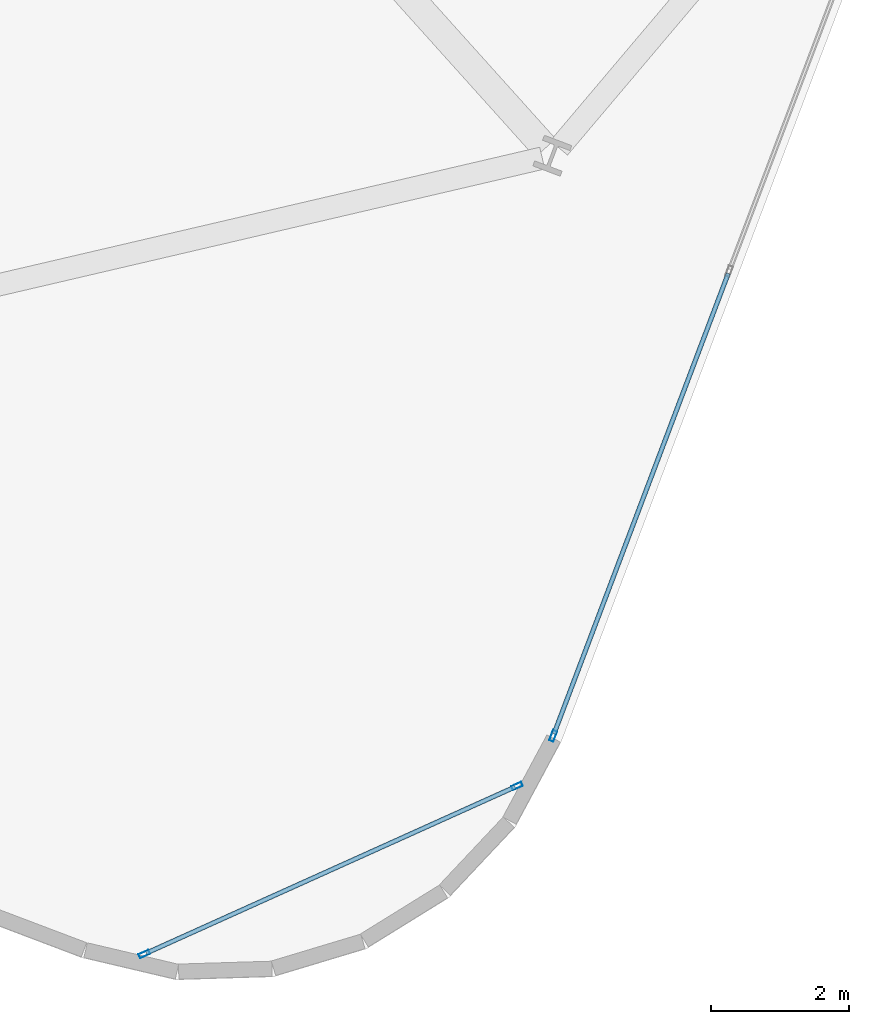
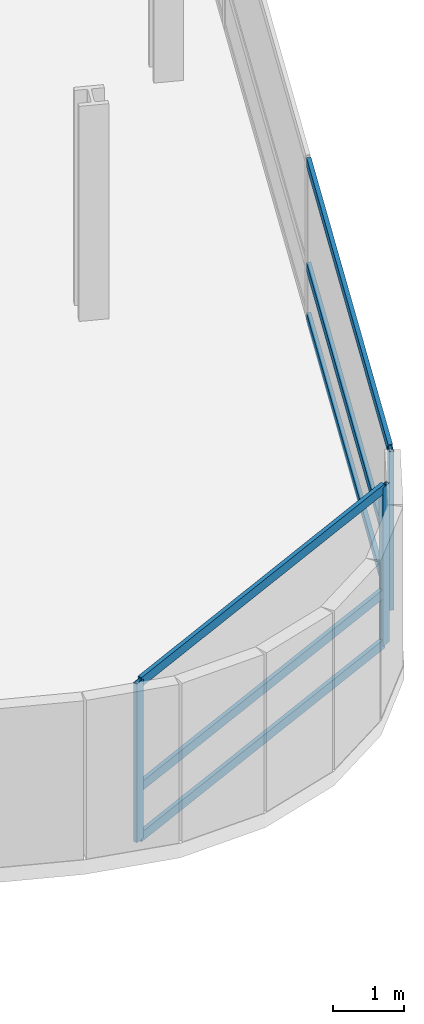
# One storey, part 10 of 25: 9 members, 2 elements without a shape of their own.
"""IFC4 building model written with IfcOpenShell, lengths in metres."""

from ifc_helpers import new_model, si_unit, direction, frame, origin, origin_2d, place, context, subcontext, project, spatial, hollow_rectangle, extrude, material, layer, layer_set, material_profile, profile_set, type_object, element, aggregate, save


model = new_model("IFC4")

# Units and contexts
model_context = context("Model", 3, precision=1e-05, world=origin(), true_north=direction((0.0, 1.0)))
body_context = subcontext(model_context, "Body", "Model", "MODEL_VIEW")
ifc_project = project(units=[si_unit("LENGTHUNIT", "METRE"), si_unit("AREAUNIT", "SQUARE_METRE"), si_unit("VOLUMEUNIT", "CUBIC_METRE"), si_unit("PLANEANGLEUNIT", "RADIAN"), si_unit("MASSUNIT", "GRAM", prefix="KILO")], contexts=[model_context])

# Site, building, storey
site_placement = place(None, origin())
site = spatial("IfcSite", under=ifc_project, at=site_placement, CompositionType="ELEMENT")
building_placement = place(site_placement, origin())
building = spatial("IfcBuilding", under=site, at=building_placement, Name="Varnelok Gate Tower", CompositionType="ELEMENT")
storey_placement = place(building_placement, frame((0.0, 0.0, 91.0)))
storey = spatial("IfcBuildingStorey", under=building, at=storey_placement, Name="L22", CompositionType="ELEMENT", Elevation=91.0)

# Curtain wall, member
ifc_material = material(Name="Anodized Aluminum Alloy 6063-T6", Category="aluminium")
ifc_layer_1 = layer(ifc_material, 0.179931640625)
ifc_layer_set_1 = layer_set([ifc_layer_1], Name="Anodized Aluminum Alloy 6063-T6")
curtain_wall_type_1 = type_object("IfcCurtainWallType", Name="CW3-HOTEL-VISION", PredefinedType="USERDEFINED", material=ifc_layer_set_1)
curtain_wall_1_placement = place(storey_placement, origin())
curtain_wall_1 = element("IfcCurtainWall", 1, at=curtain_wall_1_placement, inside=storey, type_object=curtain_wall_type_1, Name="L22 East End Vision Curtain Wall", ObjectType="UNITISED CURTAIN WALL", PredefinedType="USERDEFINED")
ifc_material_profile_1 = material_profile(ifc_material, hollow_rectangle(XDim=0.06494140625, YDim=0.159912109375, WallThickness=0.00390625, at=origin_2d()), Name="ALU160X65X4")
ifc_profile_set_1 = profile_set([ifc_material_profile_1], Name="Anodized Aluminum Alloy 6063-T6")
member_type_1 = type_object("IfcMemberType", Name="CW-MULL-160", PredefinedType="MULLION", material=ifc_profile_set_1)
member_1_placement = place(storey_placement, frame((67.6494140625, -4.78955078125, 0.0), z_axis=(0.0, 0.0, 1.0), x_axis=(0.935221323688, -0.354063660545, 0.0)))
member_1 = element("IfcMember", 2, at=member_1_placement, type_object=member_type_1, Name="CW3 mullion 6", PredefinedType="MULLION", context=body_context, shape_type="SweptSolid", body=[
    extrude(hollow_rectangle(XDim=0.06494140625, YDim=0.159912109375, WallThickness=0.00390625, at=origin_2d()), origin(), (0.0, 0.0, 1.0), 2.72998046875),
])

# Curtain wall, members
ifc_layer_2 = layer(ifc_material, 0.179931640625)
ifc_layer_set_2 = layer_set([ifc_layer_2], Name="Anodized Aluminum Alloy 6063-T6")
curtain_wall_type_2 = type_object("IfcCurtainWallType", Name="CW5-WINDCORNER-GLAZ", PredefinedType="USERDEFINED", material=ifc_layer_set_2)
curtain_wall_2_placement = place(storey_placement, origin())
curtain_wall_2 = element("IfcCurtainWall", 3, at=curtain_wall_2_placement, inside=storey, type_object=curtain_wall_type_2, Name="L22 Wind-Shaped Corner Curtain Wall SE", ObjectType="STRUCTURAL GLAZING", PredefinedType="USERDEFINED")
member_2_placement = place(storey_placement, frame((61.7177734375, -7.953857421875, 0.0), z_axis=(0.0, 0.0, 1.0), x_axis=(-0.41094361693, 0.911660761306, 0.0)))
member_2 = element("IfcMember", 4, at=member_2_placement, type_object=member_type_1, Name="CW5 mullion 1", PredefinedType="MULLION", context=body_context, shape_type="SweptSolid", body=[
    extrude(hollow_rectangle(XDim=0.06494140625, YDim=0.159912109375, WallThickness=0.00390625, at=origin_2d()), origin(), (0.0, 0.0, 1.0), 2.72998046875),
])
member_3_placement = place(storey_placement, frame((67.125, -5.516357421875, 0.0), z_axis=(0.0, 0.0, 1.0), x_axis=(-0.41094361693, 0.911660761306, 0.0)))
member_3 = element("IfcMember", 5, at=member_3_placement, type_object=member_type_1, Name="CW5 mullion 2", PredefinedType="MULLION", context=body_context, shape_type="SweptSolid", body=[
    extrude(hollow_rectangle(XDim=0.06494140625, YDim=0.159912109375, WallThickness=0.00390625, at=origin_2d()), origin(), (0.0, 0.0, 1.0), 2.72998046875),
])

# Member
ifc_material_profile_2 = material_profile(ifc_material, hollow_rectangle(XDim=0.06494140625, YDim=0.159912109375, WallThickness=0.00390625, at=origin_2d()), Name="ALU160X65X4")
ifc_profile_set_2 = profile_set([ifc_material_profile_2], Name="Anodized Aluminum Alloy 6063-T6")
member_type_2 = type_object("IfcMemberType", Name="CW-TRAN-160", PredefinedType="USERDEFINED", material=ifc_profile_set_2)
member_4_placement = place(storey_placement, frame((70.189697265625, 1.920654296875, 0.032470703125), z_axis=(-0.354058568643, -0.935223251406, 0.0), x_axis=(0.935223251406, -0.354058568643, 0.0)))
member_4 = element("IfcMember", 6, at=member_4_placement, type_object=member_type_2, Name="CW3 transom 5.1", ObjectType="TRANSOM", PredefinedType="USERDEFINED", context=body_context, shape_type="SweptSolid", body=[
    extrude(hollow_rectangle(XDim=0.06494140625, YDim=0.159912109375, WallThickness=0.00390625, at=origin_2d()), origin(), (0.0, 0.0, 1.0), 7.142333984375),
])

member_5_placement = place(storey_placement, frame((70.189697265625, 1.920654296875, 0.89990234375), z_axis=(-0.354058568643, -0.935223251406, 0.0), x_axis=(0.935223251406, -0.354058568643, 0.0)))
member_5 = element("IfcMember", 7, at=member_5_placement, type_object=member_type_2, Name="CW3 transom 5.2", ObjectType="TRANSOM", PredefinedType="USERDEFINED", context=body_context, shape_type="SweptSolid", body=[
    extrude(hollow_rectangle(XDim=0.06494140625, YDim=0.159912109375, WallThickness=0.00390625, at=origin_2d()), origin(), (0.0, 0.0, 1.0), 7.142333984375),
])

member_6_placement = place(storey_placement, frame((70.189697265625, 1.920654296875, 2.697509765625), z_axis=(-0.354058568643, -0.935223251406, 0.0), x_axis=(0.935223251406, -0.354058568643, 0.0)))
member_6 = element("IfcMember", 8, at=member_6_placement, type_object=member_type_2, Name="CW3 transom 5.3", ObjectType="TRANSOM", PredefinedType="USERDEFINED", context=body_context, shape_type="SweptSolid", body=[
    extrude(hollow_rectangle(XDim=0.06494140625, YDim=0.159912109375, WallThickness=0.00390625, at=origin_2d()), origin(), (0.0, 0.0, 1.0), 7.142333984375),
])

aggregate(curtain_wall_1, [member_1, member_4, member_5, member_6])

member_7_placement = place(storey_placement, frame((61.747314453125, -7.9404296875, 0.032470703125), z_axis=(0.911667474116, 0.410928724524, 0.0), x_axis=(-0.410928724524, 0.911667474116, 0.0)))
member_7 = element("IfcMember", 9, at=member_7_placement, type_object=member_type_2, Name="CW5 transom 1.1", ObjectType="TRANSOM", PredefinedType="USERDEFINED", context=body_context, shape_type="SweptSolid", body=[
    extrude(hollow_rectangle(XDim=0.06494140625, YDim=0.159912109375, WallThickness=0.00390625, at=origin_2d()), origin(), (0.0, 0.0, 1.0), 5.8662109375),
])

member_8_placement = place(storey_placement, frame((61.747314453125, -7.9404296875, 0.89990234375), z_axis=(0.911667474116, 0.410928724524, 0.0), x_axis=(-0.410928724524, 0.911667474116, 0.0)))
member_8 = element("IfcMember", 10, at=member_8_placement, type_object=member_type_2, Name="CW5 transom 1.2", ObjectType="TRANSOM", PredefinedType="USERDEFINED", context=body_context, shape_type="SweptSolid", body=[
    extrude(hollow_rectangle(XDim=0.06494140625, YDim=0.159912109375, WallThickness=0.00390625, at=origin_2d()), origin(), (0.0, 0.0, 1.0), 5.8662109375),
])

member_9_placement = place(storey_placement, frame((61.747314453125, -7.9404296875, 2.697509765625), z_axis=(0.911667474116, 0.410928724524, 0.0), x_axis=(-0.410928724524, 0.911667474116, 0.0)))
member_9 = element("IfcMember", 11, at=member_9_placement, type_object=member_type_2, Name="CW5 transom 1.3", ObjectType="TRANSOM", PredefinedType="USERDEFINED", context=body_context, shape_type="SweptSolid", body=[
    extrude(hollow_rectangle(XDim=0.06494140625, YDim=0.159912109375, WallThickness=0.00390625, at=origin_2d()), origin(), (0.0, 0.0, 1.0), 5.8662109375),
])

aggregate(curtain_wall_2, [member_2, member_3, member_7, member_8, member_9])

save(model, "model.ifc")
